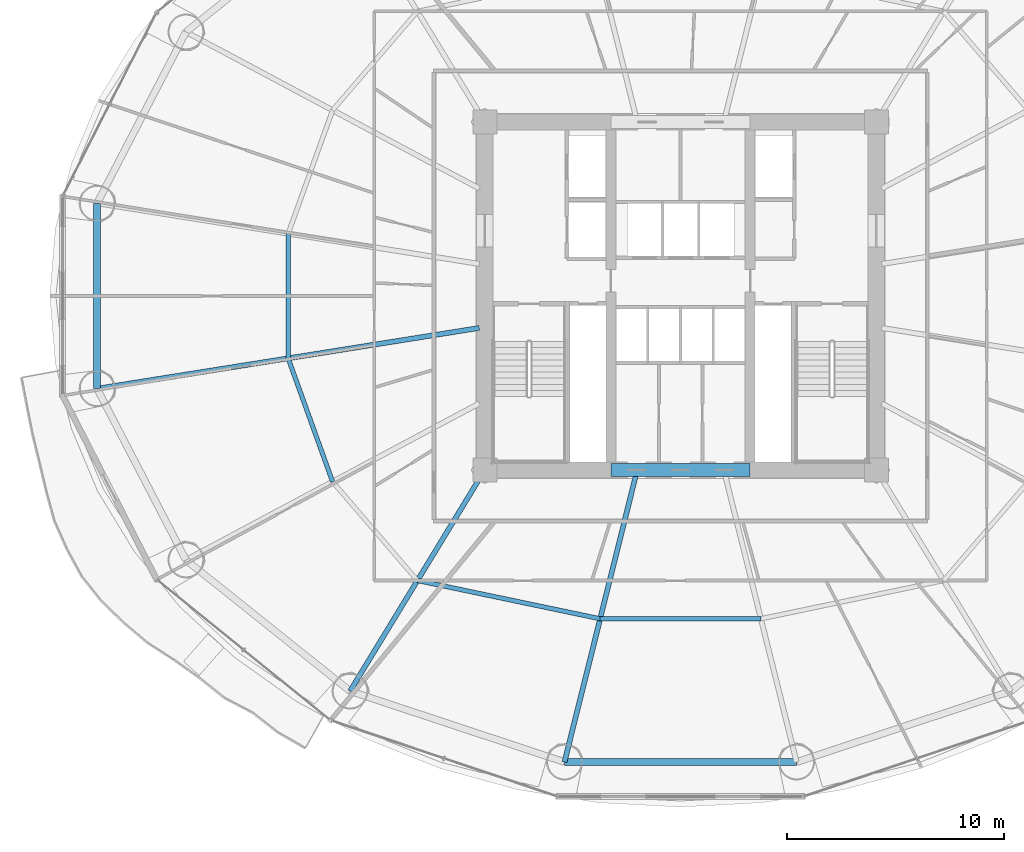
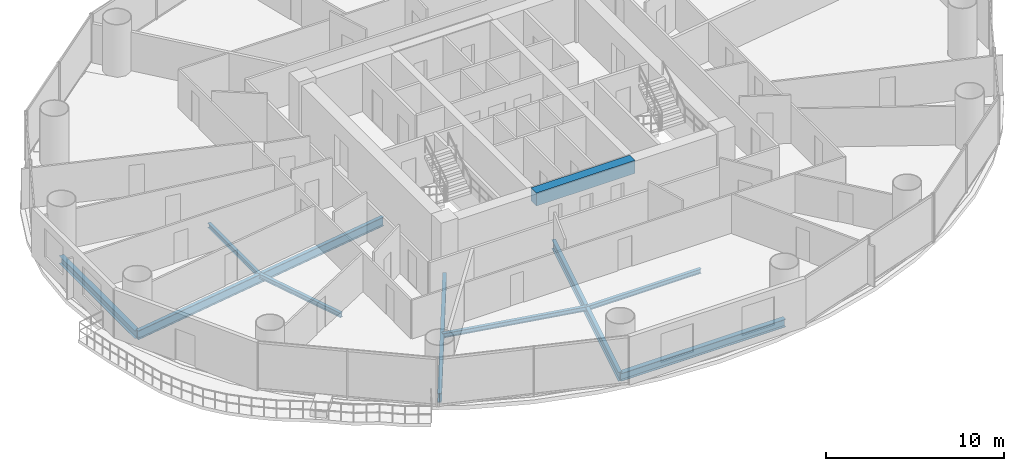
# One storey, part 5 of 28: 10 beams.
"""IFC4 building model written with IfcOpenShell, lengths in metres."""

from ifc_helpers import new_model, si_unit, direction, frame, origin, origin_2d, place, context, subcontext, project, spatial, rectangle, i_section, extrude, material, material_profile, profile_set, type_object, element, save


model = new_model("IFC4")

# Units and contexts
model_context = context("Model", 3, precision=1e-05, world=origin(), true_north=direction((-0.2419218956, 0.970295726276)))
body_context = subcontext(model_context, "Body", "Model", "MODEL_VIEW")
ifc_project = project(units=[si_unit("LENGTHUNIT", "METRE"), si_unit("AREAUNIT", "SQUARE_METRE"), si_unit("VOLUMEUNIT", "CUBIC_METRE"), si_unit("PLANEANGLEUNIT", "RADIAN"), si_unit("MASSUNIT", "GRAM", prefix="KILO")], contexts=[model_context])

# Site, building, storey
site_placement = place(None, origin())
site = spatial("IfcSite", under=ifc_project, at=site_placement, CompositionType="ELEMENT")
building_placement = place(site_placement, origin())
building = spatial("IfcBuilding", under=site, at=building_placement, Name="Cobrevalo Terracotta Tower", CompositionType="ELEMENT")
storey_placement = place(building_placement, frame((0.0, 0.0, 38.39990234375)))
storey = spatial("IfcBuildingStorey", under=building, at=storey_placement, Name="L09", CompositionType="ELEMENT", Elevation=38.39990234375)

# Beams
ifc_material_1 = material(Name="Concrete C60", Category="concrete")
ifc_material_profile_1 = material_profile(ifc_material_1, rectangle(XDim=0.60009765625, YDim=0.89990234375, at=origin_2d()), Name="RC CB 600x900")
ifc_profile_set_1 = profile_set([ifc_material_profile_1], Name="Concrete C60")
beam_type_1 = type_object("IfcBeamType", Name="Structural Beam RC CB 600x900 (Concrete C60)", PredefinedType="BEAM", material=ifc_profile_set_1)
beam_1_placement = place(storey_placement, frame((34.800048828125, 18.800048828125, 2.8701171875), z_axis=(1.0, 0.0, 0.0), x_axis=(0.0, 1.0, 0.0)))
element("IfcBeam", 1, at=beam_1_placement, inside=storey, type_object=beam_type_1, Name="L09 core coupling beam 1", PredefinedType="BEAM", context=body_context, shape_type="SweptSolid", body=[
    extrude(rectangle(XDim=0.60009765625, YDim=0.89990234375, at=origin_2d()), origin(), (0.0, 0.0, 1.0), 6.39990234375),
])
ifc_material_2 = material(Name="Steel S355", Category="steel")
ifc_material_profile_2 = material_profile(ifc_material_2, i_section(OverallWidth=0.22998046875, OverallDepth=0.616943359375, WebThickness=0.01318359375, FlangeThickness=0.022216796875, at=origin_2d()), Name="W 610x140")
ifc_profile_set_2 = profile_set([ifc_material_profile_2], Name="Steel S355")
beam_type_2 = type_object("IfcBeamType", Name="Structural Beam W 610x140 (Steel S355)", PredefinedType="BEAM", material=ifc_profile_set_2)
beam_2_placement = place(storey_placement, frame((11.175537109375, 22.537353515625, -0.58837890625), z_axis=(0.987607924622, 0.156941349628, 0.0), x_axis=(-0.156941349628, 0.987607924622, 0.0)))
element("IfcBeam", 2, at=beam_2_placement, inside=storey, type_object=beam_type_2, Name="L09 radial floor girder 09", PredefinedType="BEAM", context=body_context, shape_type="SweptSolid", body=[
    extrude(i_section(OverallWidth=0.22998046875, OverallDepth=0.616943359375, WebThickness=0.01318359375, FlangeThickness=0.022216796875, at=origin_2d()), origin(), (0.0, 0.0, 1.0), 17.7900390625),
])
beam_3_placement = place(storey_placement, frame((22.80517578125, 8.63232421875, -0.58837890625), z_axis=(0.520300780853, 0.853983077961, 0.0), x_axis=(-0.853983077961, 0.520300780853, 0.0)))
element("IfcBeam", 3, at=beam_3_placement, inside=storey, type_object=beam_type_2, Name="L09 radial floor girder 11", PredefinedType="BEAM", context=body_context, shape_type="SweptSolid", body=[
    extrude(i_section(OverallWidth=0.22998046875, OverallDepth=0.616943359375, WebThickness=0.01318359375, FlangeThickness=0.022216796875, at=origin_2d()), origin(), (0.0, 0.0, 1.0), 11.90625),
])
beam_4_placement = place(storey_placement, frame((32.664306640625, 5.369873046875, -0.58837890625), z_axis=(0.241600470374, 0.970375810042, 0.0), x_axis=(-0.970375810042, 0.241600470374, 0.0)))
element("IfcBeam", 4, at=beam_4_placement, inside=storey, type_object=beam_type_2, Name="L09 radial floor girder 12", PredefinedType="BEAM", context=body_context, shape_type="SweptSolid", body=[
    extrude(i_section(OverallWidth=0.22998046875, OverallDepth=0.616943359375, WebThickness=0.01318359375, FlangeThickness=0.022216796875, at=origin_2d()), origin(), (0.0, 0.0, 1.0), 13.5771484375),
])
ifc_material_profile_3 = material_profile(ifc_material_2, i_section(OverallWidth=0.2041015625, OverallDepth=0.305908203125, WebThickness=0.008544921875, FlangeThickness=0.0146484375, at=origin_2d()), Name="W 310x67")
ifc_profile_set_3 = profile_set([ifc_material_profile_3], Name="Steel S355")
beam_type_3 = type_object("IfcBeamType", Name="Structural Joist W 310x67 (Steel S355)", PredefinedType="JOIST", material=ifc_profile_set_3)
beam_5_placement = place(storey_placement, frame((19.960205078125, 29.666748046875, -0.432861328125), z_axis=(0.0, -1.0, 0.0), x_axis=(1.0, 0.0, 0.0)))
element("IfcBeam", 5, at=beam_5_placement, inside=storey, type_object=beam_type_3, Name="L09 circumferential secondary floor joist 08", PredefinedType="JOIST", context=body_context, shape_type="SweptSolid", body=[
    extrude(i_section(OverallWidth=0.2041015625, OverallDepth=0.305908203125, WebThickness=0.008544921875, FlangeThickness=0.0146484375, at=origin_2d()), origin(), (0.0, 0.0, 1.0), 5.7333984375),
])
beam_6_placement = place(storey_placement, frame((19.960205078125, 23.933349609375, -0.432861328125), z_axis=(0.338672151116, -0.940904444701, 0.0), x_axis=(0.940904444701, 0.338672151116, 0.0)))
element("IfcBeam", 6, at=beam_6_placement, inside=storey, type_object=beam_type_3, Name="L09 circumferential secondary floor joist 09", PredefinedType="JOIST", context=body_context, shape_type="SweptSolid", body=[
    extrude(i_section(OverallWidth=0.2041015625, OverallDepth=0.305908203125, WebThickness=0.008544921875, FlangeThickness=0.0146484375, at=origin_2d()), origin(), (0.0, 0.0, 1.0), 6.029296875),
])
beam_7_placement = place(storey_placement, frame((25.902587890625, 13.71630859375, -0.432861328125), z_axis=(0.978784523904, -0.204892302848, 0.0), x_axis=(0.204892302848, 0.978784523904, 0.0)))
element("IfcBeam", 7, at=beam_7_placement, inside=storey, type_object=beam_type_3, Name="L09 circumferential secondary floor joist 11", PredefinedType="JOIST", context=body_context, shape_type="SweptSolid", body=[
    extrude(i_section(OverallWidth=0.2041015625, OverallDepth=0.305908203125, WebThickness=0.008544921875, FlangeThickness=0.0146484375, at=origin_2d()), origin(), (0.0, 0.0, 1.0), 8.583984375),
])
beam_8_placement = place(storey_placement, frame((34.304443359375, 11.95751953125, -0.432861328125), z_axis=(1.0, 0.0, 0.0), x_axis=(0.0, 1.0, 0.0)))
element("IfcBeam", 8, at=beam_8_placement, inside=storey, type_object=beam_type_3, Name="L09 circumferential secondary floor joist 12", PredefinedType="JOIST", context=body_context, shape_type="SweptSolid", body=[
    extrude(i_section(OverallWidth=0.2041015625, OverallDepth=0.305908203125, WebThickness=0.008544921875, FlangeThickness=0.0146484375, at=origin_2d()), origin(), (0.0, 0.0, 1.0), 7.39111328125),
])
ifc_material_profile_4 = material_profile(ifc_material_2, i_section(OverallWidth=0.31201171875, OverallDepth=0.54296875, WebThickness=0.0126953125, FlangeThickness=0.020263671875, at=origin_2d()), Name="W 530x150")
ifc_profile_set_4 = profile_set([ifc_material_profile_4], Name="Steel S355")
beam_type_4 = type_object("IfcBeamType", Name="Structural Spandrel W 530x150 (Steel S355)", PredefinedType="SPANDREL", material=ifc_profile_set_4)
beam_9_placement = place(storey_placement, frame((11.175537109375, 31.062744140625, -0.551513671875), z_axis=(0.0, -1.0, 0.0), x_axis=(1.0, 0.0, 0.0)))
element("IfcBeam", 9, at=beam_9_placement, inside=storey, type_object=beam_type_4, Name="L09 perimeter ring spandrel 08", PredefinedType="SPANDREL", context=body_context, shape_type="SweptSolid", body=[
    extrude(i_section(OverallWidth=0.31201171875, OverallDepth=0.54296875, WebThickness=0.0126953125, FlangeThickness=0.020263671875, at=origin_2d()), origin(), (0.0, 0.0, 1.0), 8.525390625),
])
beam_10_placement = place(storey_placement, frame((32.664306640625, 5.369873046875, -0.551513671875), z_axis=(1.0, 0.0, 0.0), x_axis=(0.0, 1.0, 0.0)))
element("IfcBeam", 10, at=beam_10_placement, inside=storey, type_object=beam_type_4, Name="L09 perimeter ring spandrel 12", PredefinedType="SPANDREL", context=body_context, shape_type="SweptSolid", body=[
    extrude(i_section(OverallWidth=0.31201171875, OverallDepth=0.54296875, WebThickness=0.0126953125, FlangeThickness=0.020263671875, at=origin_2d()), origin(), (0.0, 0.0, 1.0), 10.67138671875),
])

save(model, "model.ifc")
